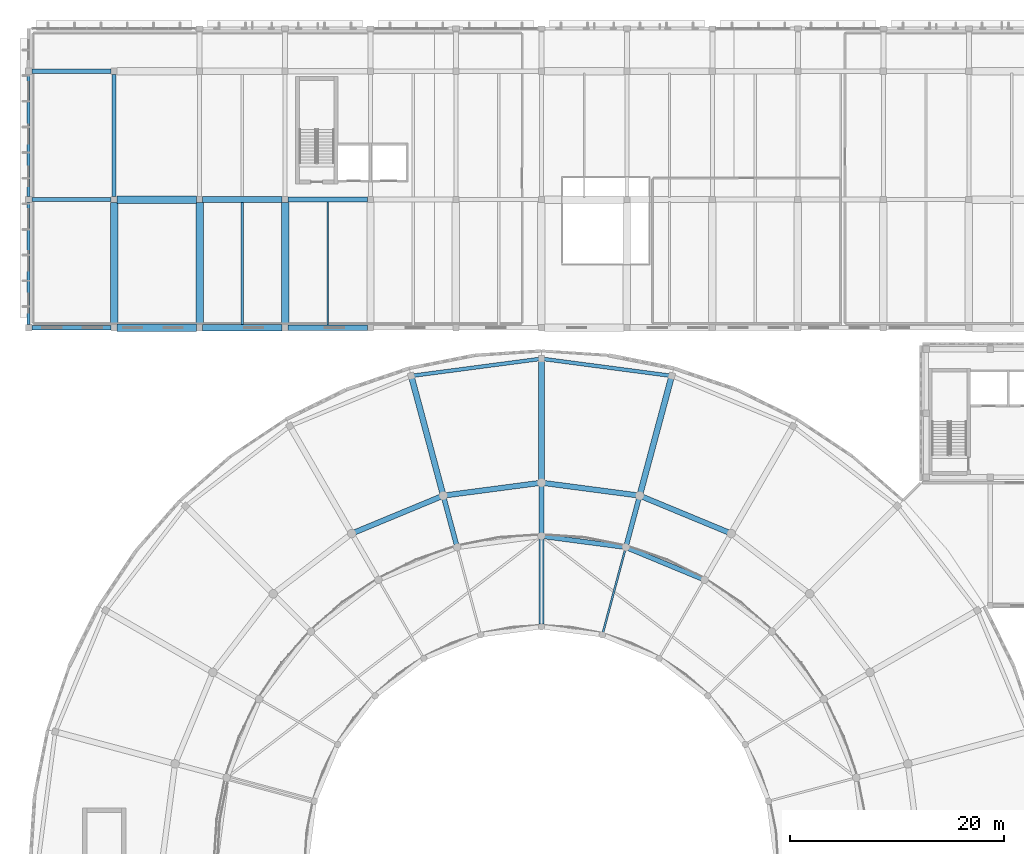
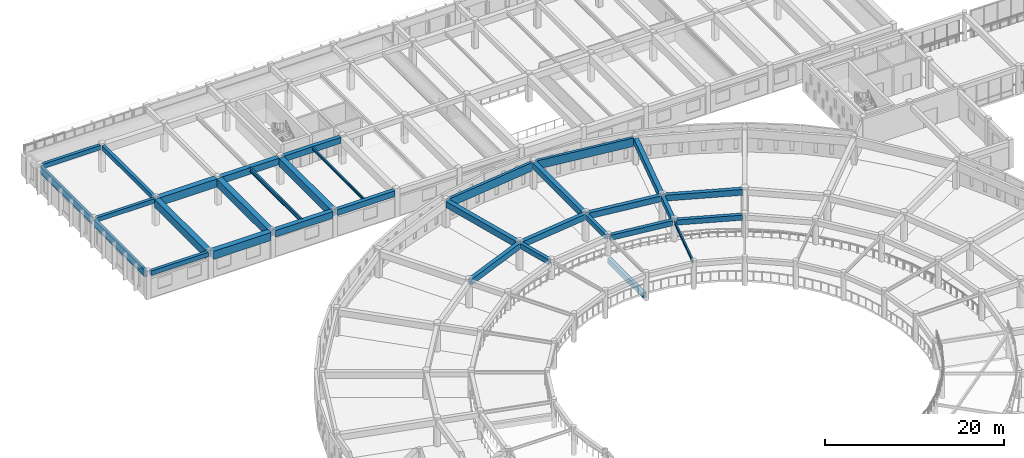
# One storey, part 15 of 98: 33 beams.
"""IFC4 building model written with IfcOpenShell, lengths in metres."""

import ifcopenshell
import ifcopenshell.guid

model = None  # the IFC model being written
_history = None  # IfcOwnerHistory: only IFC2X3 demands one
_inside = {}  # id of a spatial element -> (the spatial element, [elements in it])
_under = {}  # id of a project, library or spatial element -> (it, [spatial elements below it])
_declared = {}  # id of a project -> (the project, [libraries it declares])
_typed = {}  # id of a type object -> (the type object, [elements of that type])
_made_of = {}  # id of a material, layer set ... -> (it, [elements and type objects made of it])


def new_model(schema):
    """Start an empty IFC model of exactly this schema.

    Asked for "IFC4X3", IfcOpenShell would pick the latest addendum, in which some entities
    have other attributes; the version numbers below select the first issue.
    IFC2X3 requires an IfcOwnerHistory on every rooted entity: one is made here for all.
    """
    global model, _history
    if schema == "IFC4X3":
        model = ifcopenshell.file(schema_version=(4, 3, 0, 0))
    else:
        model = ifcopenshell.file(schema=schema)
    _inside.clear()
    _under.clear()
    _declared.clear()
    _typed.clear()
    _made_of.clear()
    _history = None
    if model.schema == "IFC2X3":
        org = make("IfcOrganization", Name="unknown")
        user = make(
            "IfcPersonAndOrganization",
            ThePerson=make("IfcPerson", FamilyName="unknown"),
            TheOrganization=org,
        )
        app = make(
            "IfcApplication",
            ApplicationDeveloper=org,
            Version="unknown",
            ApplicationFullName="unknown",
            ApplicationIdentifier="unknown",
        )
        _history = make(
            "IfcOwnerHistory",
            OwningUser=user,
            OwningApplication=app,
            ChangeAction="ADDED",
            CreationDate=0,
        )
    return model


def make(cls, **values):
    """One entity of the class cls with the attributes given. An attribute that is None is left unset."""
    return model.create_entity(
        cls, **{name: value for name, value in values.items() if value is not None}
    )


def rooted(cls, **values):
    """An entity with a GlobalId (a new one), such as an element, a storey or a relation."""
    return make(cls, GlobalId=ifcopenshell.guid.new(), OwnerHistory=_history, **values)


def si_unit(unit_type, name, prefix=None):
    """IfcSIUnit, for example si_unit("LENGTHUNIT", "METRE", prefix="MILLI")."""
    return make("IfcSIUnit", UnitType=unit_type, Prefix=prefix, Name=name)


def assignment(units):
    """IfcUnitAssignment: the units of a project."""
    return None if units is None else make("IfcUnitAssignment", Units=units)


def point(xyz):
    """IfcCartesianPoint."""
    return None if xyz is None else make("IfcCartesianPoint", Coordinates=xyz)


def direction(xyz):
    """IfcDirection."""
    return None if xyz is None else make("IfcDirection", DirectionRatios=xyz)


def frame(location, z_axis=None, x_axis=None):
    """IfcAxis2Placement3D, a coordinate frame: its origin and axes. An axis left out is left unset."""
    return make(
        "IfcAxis2Placement3D",
        Location=point(location),
        Axis=direction(z_axis),
        RefDirection=direction(x_axis),
    )


def frame_2d(location, x_axis=None):
    """IfcAxis2Placement2D, a coordinate frame in the plane: its origin and x axis."""
    return make(
        "IfcAxis2Placement2D", Location=point(location), RefDirection=direction(x_axis)
    )


def origin():
    """The frame at (0, 0, 0) with its axes left unset."""
    return frame((0.0, 0.0, 0.0))


def origin_2d():
    """The frame at (0, 0) in the plane with its x axis left unset."""
    return frame_2d((0.0, 0.0))


def place(relative_to, where):
    """IfcLocalPlacement: puts the frame where relative to a parent placement (None: the world)."""
    return make(
        "IfcLocalPlacement", PlacementRelTo=relative_to, RelativePlacement=where
    )


def context(
    kind, dimensions, precision=None, world=None, true_north=None, identifier=None
):
    """IfcGeometricRepresentationContext, for example the 3D "Model" context."""
    return make(
        "IfcGeometricRepresentationContext",
        ContextIdentifier=identifier,
        ContextType=kind,
        CoordinateSpaceDimension=dimensions,
        Precision=precision,
        WorldCoordinateSystem=world,
        TrueNorth=true_north,
    )


def subcontext(parent, identifier, kind, view, scale=None):
    """IfcGeometricRepresentationSubContext, for example "Body" below "Model"."""
    return make(
        "IfcGeometricRepresentationSubContext",
        ContextIdentifier=identifier,
        ContextType=kind,
        ParentContext=parent,
        TargetScale=scale,
        TargetView=view,
    )


def project(units=None, contexts=None):
    """IfcProject with its units and contexts."""
    return rooted(
        "IfcProject",
        Name="project",
        RepresentationContexts=contexts,
        UnitsInContext=assignment(units),
    )


def spatial(cls, under=None, at=None, **own):
    """A site, building, storey or space (cls), placed at a placement, below another one or the project."""
    s = rooted(cls, ObjectPlacement=at, **own)
    if under is not None:
        _under.setdefault(under.id(), (under, []))[1].append(s)
    return s


def profile(cls, at=None, kind="AREA", **sizes):
    """A parametric profile (cls). Its sizes go by their IFC names, for example OverallWidth=200.0."""
    return make(cls, ProfileType=kind, Position=at, **sizes)


def rectangle(**sizes):
    """IfcRectangleProfileDef."""
    return profile("IfcRectangleProfileDef", **sizes)


def i_section(**sizes):
    """IfcIShapeProfileDef."""
    return profile("IfcIShapeProfileDef", **sizes)


def extrude(swept, where, along, depth):
    """IfcExtrudedAreaSolid: the profile swept, set in the frame where, extruded along a direction by depth."""
    return make(
        "IfcExtrudedAreaSolid",
        SweptArea=swept,
        Position=where,
        ExtrudedDirection=direction(along),
        Depth=depth,
    )


def shape(context_of_items, identifier, shape_type, items):
    """IfcShapeRepresentation: the items that make up one representation, for example the "Body"."""
    return make(
        "IfcShapeRepresentation",
        ContextOfItems=context_of_items,
        RepresentationIdentifier=identifier,
        RepresentationType=shape_type,
        Items=items,
    )


def material(Name=None, Category=None):
    """IfcMaterial."""
    return make("IfcMaterial", Name=Name, Category=Category)


def material_profile(
    of_material, cross_section, Name=None, Category=None, Priority=None
):
    """IfcMaterialProfile: a cross section and its material."""
    return make(
        "IfcMaterialProfile",
        Name=Name,
        Material=of_material,
        Profile=cross_section,
        Priority=Priority,
        Category=Category,
    )


def profile_set(profiles, Name=None, composite=None):
    """IfcMaterialProfileSet."""
    return make(
        "IfcMaterialProfileSet",
        Name=Name,
        MaterialProfiles=profiles,
        CompositeProfile=composite,
    )


def made_of(thing, what):
    """Note that an element or type object is made of a material, layer set ...; save() writes the relation."""
    if what is not None:
        _made_of.setdefault(what.id(), (what, []))[1].append(thing)
    return thing


def type_object(cls, material=None, **own):
    """A type object (cls), such as IfcWallType, which elements share."""
    return made_of(rooted(cls, **own), material)


def element(
    cls,
    number,
    at=None,
    inside=None,
    cuts=None,
    type_object=None,
    material=None,
    context=None,
    identifier="Body",
    shape_type=None,
    held_by="IfcProductDefinitionShape",
    body=None,
    shapes=None,
    **own,
):
    """One element of the class cls, such as IfcWall. Its Tag is "e" and its number.

    at: its placement. inside: the storey or other place that contains it. cuts: it is an
    opening in that element (IfcRelVoidsElement). A single representation is given by context,
    identifier, shape_type and body (its items); several are given by shapes. held_by: the class
    of the entity that holds the representations. save() writes the other relations.
    """
    e = rooted(cls, Tag="e%d" % number, ObjectPlacement=at, **own)
    if body is not None:
        shapes = [shape(context, identifier, shape_type, body)]
    if shapes is not None:
        e.Representation = make(held_by, Representations=shapes)
    if inside is not None:
        _inside.setdefault(inside.id(), (inside, []))[1].append(e)
    if cuts is not None:
        rooted(
            "IfcRelVoidsElement", RelatingBuildingElement=cuts, RelatedOpeningElement=e
        )
    if type_object is not None:
        _typed.setdefault(type_object.id(), (type_object, []))[1].append(e)
    return made_of(e, material)


def aggregate(whole, parts):
    """IfcRelAggregates: a whole, such as a stair, and the parts it consists of."""
    return rooted("IfcRelAggregates", RelatingObject=whole, RelatedObjects=parts)


def save(model, path):
    """Write the relations noted so far, then the file.

    IfcRelAggregates (storeys below a building ...), IfcRelContainedInSpatialStructure (elements
    in a storey), IfcRelDefinesByType, IfcRelAssociatesMaterial and IfcRelDeclares: one each for
    every whole, place, type object, material and project.
    """
    for whole, parts in _under.values():
        aggregate(whole, parts)
    for where, things in _inside.values():
        rooted(
            "IfcRelContainedInSpatialStructure",
            RelatedElements=things,
            RelatingStructure=where,
        )
    for kind, things in _typed.values():
        rooted("IfcRelDefinesByType", RelatedObjects=things, RelatingType=kind)
    for what, things in _made_of.values():
        rooted("IfcRelAssociatesMaterial", RelatedObjects=things, RelatingMaterial=what)
    for by, libraries in _declared.values():
        rooted("IfcRelDeclares", RelatingContext=by, RelatedDefinitions=libraries)
    model.write(path)


model = new_model("IFC4")

# Units and contexts
model_context = context("Model", 3, precision=1e-05, world=origin(), true_north=direction((0.0, 1.0)))
body_context = subcontext(model_context, "Body", "Model", "MODEL_VIEW")
ifc_project = project(units=[si_unit("LENGTHUNIT", "METRE"), si_unit("AREAUNIT", "SQUARE_METRE"), si_unit("VOLUMEUNIT", "CUBIC_METRE"), si_unit("PLANEANGLEUNIT", "RADIAN"), si_unit("MASSUNIT", "GRAM", prefix="KILO")], contexts=[model_context])

# Site, building, storey
site_placement = place(None, origin())
site = spatial("IfcSite", under=ifc_project, at=site_placement, CompositionType="ELEMENT")
building_placement = place(site_placement, origin())
building = spatial("IfcBuilding", under=site, at=building_placement, Name="Larkveld Mobility Hub", CompositionType="ELEMENT")
storey_placement = place(building_placement, frame((0.0, 0.0, 4.5)))
storey = spatial("IfcBuildingStorey", under=building, at=storey_placement, Name="L01", CompositionType="ELEMENT", Elevation=4.5)

# Beams
ifc_material_1 = material(Name="Concrete C40/50", Category="concrete")
ifc_material_profile_1 = material_profile(ifc_material_1, rectangle(XDim=0.39990234375, YDim=0.60009765625, at=origin_2d()), Name="RC BM 400x600")
ifc_profile_set_1 = profile_set([ifc_material_profile_1], Name="Concrete C40/50")
beam_type_1 = type_object("IfcBeamType", Name="BM-RC4060", PredefinedType="BEAM", material=ifc_profile_set_1)
for number, where, z_axis, x_axis, name in (
    (1, (0.300048828125, 98.0, 3.360107421875), (1.0, 0.0, 0.0), (0.0, 1.0, 0.0), "Primary E-W Girder L01-0291"),
    (2, (0.300048828125, 110.0, 3.360107421875), (1.0, 0.0, 0.0), (0.0, 1.0, 0.0), "Primary E-W Girder L01-0311"),
    (3, (0.300048828125, 122.0, 3.360107421875), (1.0, 0.0, 0.0), (0.0, 1.0, 0.0), "Primary E-W Girder L01-0328"),
):
    element("IfcBeam", number, at=place(storey_placement, frame(where, z_axis=z_axis, x_axis=x_axis)), inside=storey, type_object=beam_type_1, Name=name, PredefinedType="BEAM", context=body_context, shape_type="SweptSolid", body=[
        extrude(rectangle(XDim=0.39990234375, YDim=0.60009765625, at=origin_2d()), origin(), (0.0, 0.0, 1.0), 7.39990234375),
    ])
beam_1_placement = place(storey_placement, frame((8.0, 110.300048828125, 3.360107421875), z_axis=(0.0, 1.0, 0.0), x_axis=(-1.0, 0.0, 0.0)))
element("IfcBeam", 4, at=beam_1_placement, inside=storey, type_object=beam_type_1, Name="Primary N-S Girder L01-0356", PredefinedType="BEAM", context=body_context, shape_type="SweptSolid", body=[
    extrude(rectangle(XDim=0.39990234375, YDim=0.60009765625, at=origin_2d()), origin(), (0.0, 0.0, 1.0), 11.39990234375),
])
ifc_material_profile_2 = material_profile(ifc_material_1, rectangle(XDim=0.449951171875, YDim=0.699951171875, at=origin_2d()), Name="RC BM 450x700")
ifc_profile_set_2 = profile_set([ifc_material_profile_2], Name="Concrete C40/50")
beam_type_2 = type_object("IfcBeamType", Name="BM-RC4570", PredefinedType="BEAM", material=ifc_profile_set_2)
beam_2_placement = place(storey_placement, frame((55.9560546875, 77.693115234375, 3.284912109375), z_axis=(0.258886406125, 0.96590777444, 0.0), x_axis=(-0.96590777444, 0.258886406125, 0.0)))
element("IfcBeam", 5, at=beam_2_placement, inside=storey, type_object=beam_type_2, Name="Drum Radial Girder L01-1400", PredefinedType="BEAM", context=body_context, shape_type="SweptSolid", body=[
    extrude(rectangle(XDim=0.449951171875, YDim=0.699951171875, at=origin_2d()), origin(), (0.0, 0.0, 1.0), 4.51904296875),
])
beam_3_placement = place(storey_placement, frame((48.0, 78.739990234375, 3.284912109375), z_axis=(0.0, 1.0, 0.0), x_axis=(-1.0, 0.0, 0.0)))
element("IfcBeam", 6, at=beam_3_placement, inside=storey, type_object=beam_type_2, Name="Drum Radial Girder L01-1403", PredefinedType="BEAM", context=body_context, shape_type="SweptSolid", body=[
    extrude(rectangle(XDim=0.449951171875, YDim=0.699951171875, at=origin_2d()), origin(), (0.0, 0.0, 1.0), 4.52001953125),
])
beam_4_placement = place(storey_placement, frame((40.0439453125, 77.693115234375, 3.284912109375), z_axis=(-0.258886406125, 0.96590777444, 0.0), x_axis=(-0.96590777444, -0.258886406125, 0.0)))
element("IfcBeam", 7, at=beam_4_placement, inside=storey, type_object=beam_type_2, Name="Drum Radial Girder L01-1406", PredefinedType="BEAM", context=body_context, shape_type="SweptSolid", body=[
    extrude(rectangle(XDim=0.449951171875, YDim=0.699951171875, at=origin_2d()), origin(), (0.0, 0.0, 1.0), 4.51904296875),
])
beam_5_placement = place(storey_placement, frame((63.028076171875, 74.506103515625, 3.284912109375), z_axis=(-0.923893542605, 0.382649607255, 0.0), x_axis=(-0.382649607255, -0.923893542605, 0.0)))
element("IfcBeam", 8, at=beam_5_placement, inside=storey, type_object=beam_type_2, Name="Drum Chord Ring Beam L01-1471", PredefinedType="BEAM", context=body_context, shape_type="SweptSolid", body=[
    extrude(rectangle(XDim=0.449951171875, YDim=0.699951171875, at=origin_2d()), origin(), (0.0, 0.0, 1.0), 7.4814453125),
])
beam_6_placement = place(storey_placement, frame((55.656005859375, 77.491943359375, 3.284912109375), z_axis=(-0.991436961012, 0.1305861874, 0.0), x_axis=(-0.1305861874, -0.991436961012, 0.0)))
element("IfcBeam", 9, at=beam_6_placement, inside=storey, type_object=beam_type_2, Name="Drum Chord Ring Beam L01-1475", PredefinedType="BEAM", context=body_context, shape_type="SweptSolid", body=[
    extrude(rectangle(XDim=0.449951171875, YDim=0.699951171875, at=origin_2d()), origin(), (0.0, 0.0, 1.0), 7.48193359375),
])
beam_7_placement = place(storey_placement, frame((48.0, 70.280029296875, 0.3798828125), z_axis=(0.0, 1.0, 0.0), x_axis=(-1.0, 0.0, 0.0)))
element("IfcBeam", 10, at=beam_7_placement, inside=storey, type_object=beam_type_2, Name="Helical Ramp Radial Support Girder L01-1757", PredefinedType="BEAM", context=body_context, shape_type="SweptSolid", body=[
    extrude(rectangle(XDim=0.449951171875, YDim=0.699951171875, at=origin_2d()), origin(), (0.0, 0.0, 1.0), 7.93994140625),
])
ifc_material_profile_3 = material_profile(ifc_material_1, rectangle(XDim=0.5, YDim=0.800048828125, at=origin_2d()), Name="RC BM 500x800")
ifc_profile_set_3 = profile_set([ifc_material_profile_3], Name="Concrete C40/50")
beam_type_3 = type_object("IfcBeamType", Name="BM-RC5080", PredefinedType="BEAM", material=ifc_profile_set_3)
for number, where, z_axis, x_axis, name in (
    (11, (24.300048828125, 98.0, 3.260009765625), (1.0, 0.0, 0.0), (0.0, 1.0, 0.0), "Primary E-W Girder L01-0294"),
    (12, (24.300048828125, 110.0, 3.260009765625), (1.0, 0.0, 0.0), (0.0, 1.0, 0.0), "Primary E-W Girder L01-0314"),
):
    element("IfcBeam", number, at=place(storey_placement, frame(where, z_axis=z_axis, x_axis=x_axis)), inside=storey, type_object=beam_type_3, Name=name, PredefinedType="BEAM", context=body_context, shape_type="SweptSolid", body=[
        extrude(rectangle(XDim=0.5, YDim=0.800048828125, at=origin_2d()), origin(), (0.0, 0.0, 1.0), 7.39990234375),
    ])
beam_8_placement = place(storey_placement, frame((65.528076171875, 78.8359375, 3.235107421875), z_axis=(-0.923903395556, 0.382625816799, 0.0), x_axis=(-0.382625816799, -0.923903395556, 0.0)))
element("IfcBeam", 13, at=beam_8_placement, inside=storey, type_object=beam_type_3, Name="Drum Chord Ring Beam L01-1472", PredefinedType="BEAM", context=body_context, shape_type="SweptSolid", body=[
    extrude(rectangle(XDim=0.5, YDim=0.800048828125, at=origin_2d()), origin(), (0.0, 0.0, 1.0), 8.786865234375),
])
for number, where, z_axis, x_axis, name in (
    (14, (56.949951171875, 82.321044921875, 3.235107421875), (-0.991430069478, 0.130638498674, 0.0), (-0.130638498674, -0.991430069478, 0.0), "Drum Chord Ring Beam L01-1476"),
    (15, (47.761962890625, 83.468994140625, 3.235107421875), (-0.991430069478, -0.130638498674, 0.0), (0.130638498674, -0.991430069478, 0.0), "Drum Chord Ring Beam L01-1480"),
):
    element("IfcBeam", number, at=place(storey_placement, frame(where, z_axis=z_axis, x_axis=x_axis)), inside=storey, type_object=beam_type_3, Name=name, PredefinedType="BEAM", context=body_context, shape_type="SweptSolid", body=[
        extrude(rectangle(XDim=0.5, YDim=0.800048828125, at=origin_2d()), origin(), (0.0, 0.0, 1.0), 8.787109375),
    ])
beam_9_placement = place(storey_placement, frame((38.590087890625, 82.197998046875, 3.235107421875), z_axis=(-0.923903395556, -0.382625816799, 0.0), x_axis=(0.382625816799, -0.923903395556, 0.0)))
element("IfcBeam", 16, at=beam_9_placement, inside=storey, type_object=beam_type_3, Name="Drum Chord Ring Beam L01-1484", PredefinedType="BEAM", context=body_context, shape_type="SweptSolid", body=[
    extrude(rectangle(XDim=0.5, YDim=0.800048828125, at=origin_2d()), origin(), (0.0, 0.0, 1.0), 8.786865234375),
])
ifc_material_profile_4 = material_profile(ifc_material_1, rectangle(XDim=0.550048828125, YDim=0.85009765625, at=origin_2d()), Name="RC BM 550x850")
ifc_profile_set_4 = profile_set([ifc_material_profile_4], Name="Concrete C40/50")
beam_type_4 = type_object("IfcBeamType", Name="BM-RC5585", PredefinedType="BEAM", material=ifc_profile_set_4)
beam_10_placement = place(storey_placement, frame((57.25, 82.52197265625, 3.2099609375), z_axis=(0.258810344821, 0.965928157481, 0.0), x_axis=(-0.965928157481, 0.258810344821, 0.0)))
element("IfcBeam", 17, at=beam_10_placement, inside=storey, type_object=beam_type_4, Name="Drum Radial Girder L01-1401", PredefinedType="BEAM", context=body_context, shape_type="SweptSolid", body=[
    extrude(rectangle(XDim=0.550048828125, YDim=0.85009765625, at=origin_2d()), origin(), (0.0, 0.0, 1.0), 11.119873046875),
])
beam_11_placement = place(storey_placement, frame((48.0, 83.739990234375, 3.2099609375), z_axis=(0.0, 1.0, 0.0), x_axis=(-1.0, 0.0, 0.0)))
element("IfcBeam", 18, at=beam_11_placement, inside=storey, type_object=beam_type_4, Name="Drum Radial Girder L01-1404", PredefinedType="BEAM", context=body_context, shape_type="SweptSolid", body=[
    extrude(rectangle(XDim=0.550048828125, YDim=0.85009765625, at=origin_2d()), origin(), (0.0, 0.0, 1.0), 11.1201171875),
])
beam_12_placement = place(storey_placement, frame((38.75, 82.52197265625, 3.2099609375), z_axis=(-0.258810344821, 0.965928157481, 0.0), x_axis=(-0.965928157481, -0.258810344821, 0.0)))
element("IfcBeam", 19, at=beam_12_placement, inside=storey, type_object=beam_type_4, Name="Drum Radial Girder L01-1407", PredefinedType="BEAM", context=body_context, shape_type="SweptSolid", body=[
    extrude(rectangle(XDim=0.550048828125, YDim=0.85009765625, at=origin_2d()), origin(), (0.0, 0.0, 1.0), 11.119873046875),
])
ifc_material_profile_5 = material_profile(ifc_material_1, rectangle(XDim=0.60009765625, YDim=0.89990234375, at=origin_2d()), Name="RC BM 600x900")
ifc_profile_set_5 = profile_set([ifc_material_profile_5], Name="Concrete C40/50")
beam_type_5 = type_object("IfcBeamType", Name="BM-RC6090", PredefinedType="BEAM", material=ifc_profile_set_5)
for number, where, z_axis, x_axis, name in (
    (20, (16.300048828125, 98.0, 3.2099609375), (1.0, 0.0, 0.0), (0.0, 1.0, 0.0), "Primary E-W Girder L01-0293"),
    (21, (16.300048828125, 110.0, 3.2099609375), (1.0, 0.0, 0.0), (0.0, 1.0, 0.0), "Primary E-W Girder L01-0313"),
):
    element("IfcBeam", number, at=place(storey_placement, frame(where, z_axis=z_axis, x_axis=x_axis)), inside=storey, type_object=beam_type_5, Name=name, PredefinedType="BEAM", context=body_context, shape_type="SweptSolid", body=[
        extrude(rectangle(XDim=0.60009765625, YDim=0.89990234375, at=origin_2d()), origin(), (0.0, 0.0, 1.0), 7.39990234375),
    ])
ifc_material_profile_6 = material_profile(ifc_material_1, rectangle(XDim=0.699951171875, YDim=1.10009765625, at=origin_2d()), Name="RC BM 700x1100")
ifc_profile_set_6 = profile_set([ifc_material_profile_6], Name="Concrete C40/50")
beam_type_6 = type_object("IfcBeamType", Name="BM-RC70110", PredefinedType="BEAM", material=ifc_profile_set_6)
for number, where, z_axis, x_axis, name in (
    (22, (8.300048828125, 98.0, 3.110107421875), (1.0, 0.0, 0.0), (0.0, 1.0, 0.0), "Primary E-W Girder L01-0292"),
    (23, (8.300048828125, 110.0, 3.110107421875), (1.0, 0.0, 0.0), (0.0, 1.0, 0.0), "Primary E-W Girder L01-0312"),
):
    element("IfcBeam", number, at=place(storey_placement, frame(where, z_axis=z_axis, x_axis=x_axis)), inside=storey, type_object=beam_type_6, Name=name, PredefinedType="BEAM", context=body_context, shape_type="SweptSolid", body=[
        extrude(rectangle(XDim=0.699951171875, YDim=1.10009765625, at=origin_2d()), origin(), (0.0, 0.0, 1.0), 7.39990234375),
    ])
for number, where, z_axis, x_axis, name in (
    (24, (8.0, 98.300048828125, 3.110107421875), (0.0, 1.0, 0.0), (-1.0, 0.0, 0.0), "Primary N-S Girder L01-0355"),
    (25, (16.0, 98.300048828125, 3.110107421875), (0.0, 1.0, 0.0), (-1.0, 0.0, 0.0), "Primary N-S Girder L01-0357"),
    (26, (24.0, 98.300048828125, 3.110107421875), (0.0, 1.0, 0.0), (-1.0, 0.0, 0.0), "Primary N-S Girder L01-0360"),
):
    element("IfcBeam", number, at=place(storey_placement, frame(where, z_axis=z_axis, x_axis=x_axis)), inside=storey, type_object=beam_type_6, Name=name, PredefinedType="BEAM", context=body_context, shape_type="SweptSolid", body=[
        extrude(rectangle(XDim=0.699951171875, YDim=1.10009765625, at=origin_2d()), origin(), (0.0, 0.0, 1.0), 11.39990234375),
    ])
ifc_material_2 = material(Name="Precast concrete C50/60", Category="concrete")
ifc_material_profile_7 = material_profile(ifc_material_2, rectangle(XDim=0.300048828125, YDim=0.97998046875, at=origin_2d()), Name="PC SP 300x980")
ifc_profile_set_7 = profile_set([ifc_material_profile_7], Name="Precast concrete C50/60")
beam_type_7 = type_object("IfcBeamType", Name="BM-SP3098", PredefinedType="SPANDREL", material=ifc_profile_set_7)
for number, where, z_axis, x_axis, name in (
    (27, (0.0, 98.300048828125, 3.169921875), (0.0, 1.0, 0.0), (-1.0, 0.0, 0.0), "Primary N-S Girder L01-0353"),
    (28, (0.0, 110.300048828125, 3.169921875), (0.0, 1.0, 0.0), (-1.0, 0.0, 0.0), "Primary N-S Girder L01-0354"),
):
    element("IfcBeam", number, at=place(storey_placement, frame(where, z_axis=z_axis, x_axis=x_axis)), inside=storey, type_object=beam_type_7, Name=name, PredefinedType="SPANDREL", context=body_context, shape_type="SweptSolid", body=[
        extrude(rectangle(XDim=0.300048828125, YDim=0.97998046875, at=origin_2d()), origin(), (0.0, 0.0, 1.0), 11.39990234375),
    ])
ifc_material_profile_8 = material_profile(ifc_material_2, rectangle(XDim=0.35009765625, YDim=1.14990234375, at=origin_2d()), Name="PC SP 350x1150")
ifc_profile_set_8 = profile_set([ifc_material_profile_8], Name="Precast concrete C50/60")
beam_type_8 = type_object("IfcBeamType", Name="BM-SP35115", PredefinedType="SPANDREL", material=ifc_profile_set_8)
for number, where, z_axis, x_axis, name in (
    (29, (59.951904296875, 93.52587890625, 3.06005859375), (-0.991433323883, 0.130613798255, 0.0), (-0.130613798255, -0.991433323883, 0.0), "Drum Chord Ring Beam L01-1477"),
    (30, (47.761962890625, 95.069091796875, 3.06005859375), (-0.991433323883, -0.130613798255, 0.0), (0.130613798255, -0.991433323883, 0.0), "Drum Chord Ring Beam L01-1481"),
):
    element("IfcBeam", number, at=place(storey_placement, frame(where, z_axis=z_axis, x_axis=x_axis)), inside=storey, type_object=beam_type_8, Name=name, PredefinedType="SPANDREL", context=body_context, shape_type="SweptSolid", body=[
        extrude(rectangle(XDim=0.35009765625, YDim=1.14990234375, at=origin_2d()), origin(), (0.0, 0.0, 1.0), 11.815185546875),
    ])
ifc_material_3 = material(Name="Steel S355JR", Category="steel")
ifc_material_profile_9 = material_profile(ifc_material_3, i_section(OverallWidth=0.169921875, OverallDepth=0.360107421875, WebThickness=0.008056640625, FlangeThickness=0.0126953125, FilletRadius=0.01806640625, at=origin_2d()), Name="IPE 360")
ifc_profile_set_9 = profile_set([ifc_material_profile_9], Name="Steel S355JR")
beam_type_9 = type_object("IfcBeamType", Name="BM-STIPE360", PredefinedType="BEAM", material=ifc_profile_set_9)
beam_13_placement = place(storey_placement, frame((28.0, 98.169921875, 3.489990234375), z_axis=(0.0, 1.0, 0.0), x_axis=(-1.0, 0.0, 0.0)))
element("IfcBeam", 31, at=beam_13_placement, inside=storey, type_object=beam_type_9, Name="Bicycle Hall Secondary Beam L01-1184", PredefinedType="BEAM", context=body_context, shape_type="SweptSolid", body=[
    extrude(i_section(OverallWidth=0.169921875, OverallDepth=0.360107421875, WebThickness=0.008056640625, FlangeThickness=0.0126953125, FilletRadius=0.01806640625, at=origin_2d()), origin(), (0.0, 0.0, 1.0), 11.66015625),
])
ifc_material_profile_10 = material_profile(ifc_material_3, i_section(OverallWidth=0.179931640625, OverallDepth=0.39990234375, WebThickness=0.008544921875, FlangeThickness=0.013427734375, FilletRadius=0.02099609375, at=origin_2d()), Name="IPE 400")
ifc_profile_set_10 = profile_set([ifc_material_profile_10], Name="Steel S355JR")
beam_type_10 = type_object("IfcBeamType", Name="BM-STIPE400", PredefinedType="BEAM", material=ifc_profile_set_10)
beam_14_placement = place(storey_placement, frame((53.756103515625, 69.48193359375, 3.43505859375), z_axis=(0.258831434294, 0.96592250653, 0.0), x_axis=(-0.96592250653, 0.258831434294, 0.0)))
element("IfcBeam", 32, at=beam_14_placement, inside=storey, type_object=beam_type_10, Name="Drum Radial Girder L01-1399", PredefinedType="BEAM", context=body_context, shape_type="SweptSolid", body=[
    extrude(i_section(OverallWidth=0.179931640625, OverallDepth=0.39990234375, WebThickness=0.008544921875, FlangeThickness=0.013427734375, FilletRadius=0.02099609375, at=origin_2d()), origin(), (0.0, 0.0, 1.0), 8.020263671875),
])
ifc_material_profile_11 = material_profile(ifc_material_3, i_section(OverallWidth=0.2099609375, OverallDepth=0.550048828125, WebThickness=0.010986328125, FlangeThickness=0.01708984375, FilletRadius=0.02392578125, at=origin_2d()), Name="IPE 550")
ifc_profile_set_11 = profile_set([ifc_material_profile_11], Name="Steel S355JR")
beam_type_11 = type_object("IfcBeamType", Name="BM-STIPE550", PredefinedType="BEAM", material=ifc_profile_set_11)
beam_15_placement = place(storey_placement, frame((20.0, 98.169921875, 3.39501953125), z_axis=(0.0, 1.0, 0.0), x_axis=(-1.0, 0.0, 0.0)))
element("IfcBeam", 33, at=beam_15_placement, inside=storey, type_object=beam_type_11, Name="Bicycle Hall Secondary Beam L01-1182", PredefinedType="BEAM", context=body_context, shape_type="SweptSolid", body=[
    extrude(i_section(OverallWidth=0.2099609375, OverallDepth=0.550048828125, WebThickness=0.010986328125, FlangeThickness=0.01708984375, FilletRadius=0.02392578125, at=origin_2d()), origin(), (0.0, 0.0, 1.0), 11.66015625),
])

save(model, "model.ifc")
